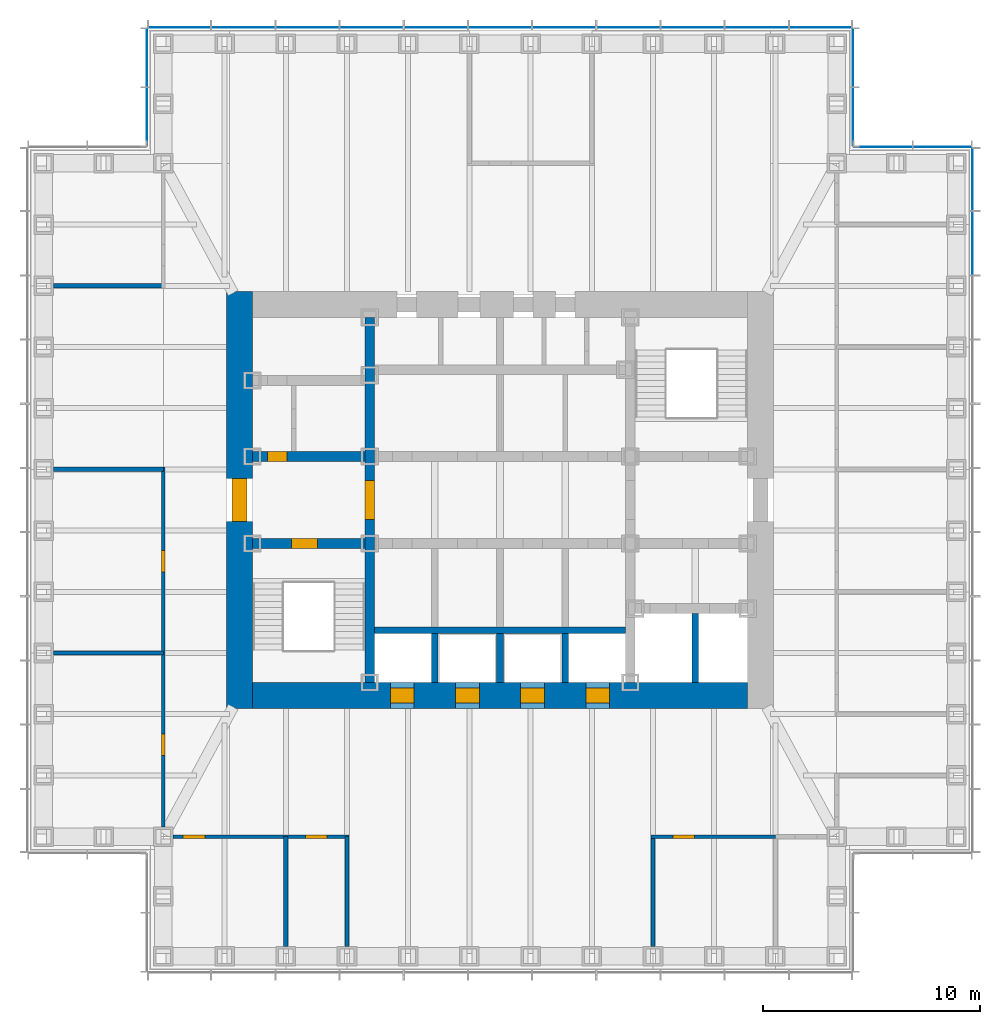
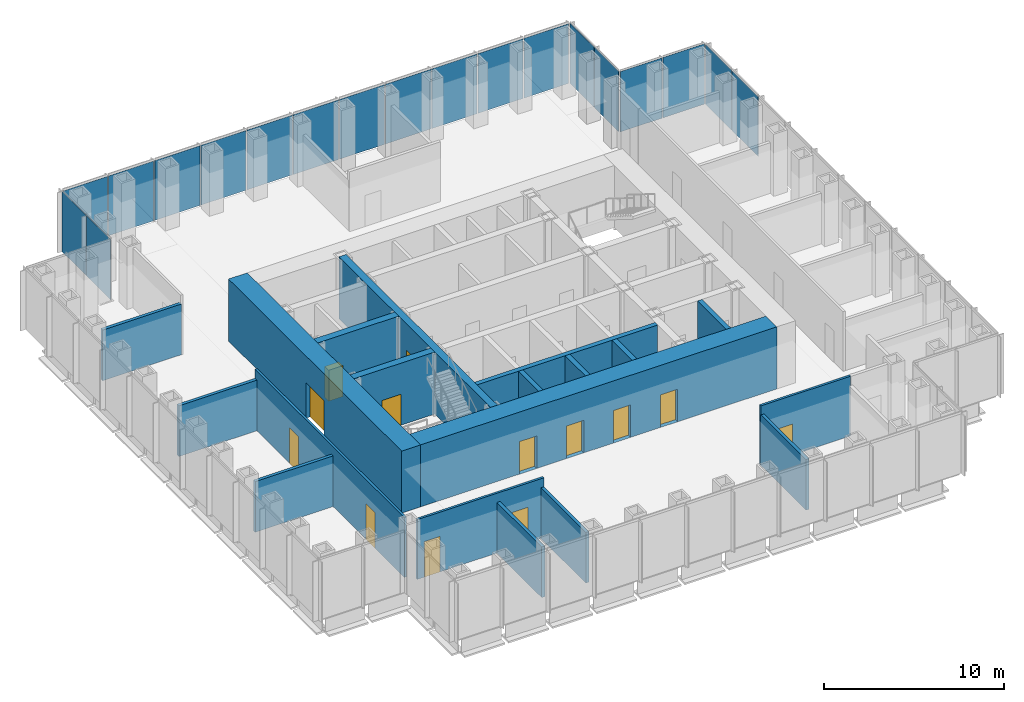
# One storey, part 8 of 16: 19 plates, 19 walls, 13 doors, 13 openings, 5 elements without a shape of their own.
"""IFC4 building model written with IfcOpenShell, lengths in metres."""

from ifc_helpers import new_model, si_unit, direction, frame, frame_2d, origin, origin_2d, place, context, subcontext, project, spatial, rectangle, extrude, material, layer, layer_set, type_object, element, fill, aggregate, save


model = new_model("IFC4")

# Units and contexts
model_context = context("Model", 3, precision=1e-05, world=origin(), true_north=direction((0.0, 1.0)))
body_context = subcontext(model_context, "Body", "Model", "MODEL_VIEW")
ifc_project = project(units=[si_unit("LENGTHUNIT", "METRE"), si_unit("AREAUNIT", "SQUARE_METRE"), si_unit("VOLUMEUNIT", "CUBIC_METRE"), si_unit("PLANEANGLEUNIT", "RADIAN"), si_unit("MASSUNIT", "GRAM", prefix="KILO")], contexts=[model_context])

# Site, building, storey
site_placement = place(None, origin())
site = spatial("IfcSite", under=ifc_project, at=site_placement, CompositionType="ELEMENT")
building_placement = place(site_placement, origin())
building = spatial("IfcBuilding", under=site, at=building_placement, Name="Daluyong Arena Tower", CompositionType="ELEMENT")
storey_placement = place(building_placement, frame((0.0, 0.0, 202.300048828125)))
storey = spatial("IfcBuildingStorey", under=building, at=storey_placement, Name="L45", CompositionType="ELEMENT", Elevation=202.300048828125)

# Curtain wall, plates
ifc_material_1 = material(Name="Bronze anodised aluminium and glass", Category="aluminium")
curtain_wall_type_1 = type_object("IfcCurtainWallType", Name="Curtain wall CW3", PredefinedType="USERDEFINED", material=ifc_material_1)
curtain_wall_1_placement = place(storey_placement, origin())
curtain_wall_1 = element("IfcCurtainWall", 1, at=curtain_wall_1_placement, inside=storey, type_object=curtain_wall_type_1, Name="curtain wall L45 E", ObjectType="UNITISED CURTAIN WALL", PredefinedType="USERDEFINED")
ifc_material_2 = material(Name="Tinted double glazed unit", Category="glass")
ifc_layer_1 = layer(ifc_material_2, 0.030029296875)
ifc_layer_set_1 = layer_set([ifc_layer_1], Name="Tinted double glazed unit")
plate_type_1 = type_object("IfcPlateType", Name="CW3 panel 30", PredefinedType="CURTAIN_PANEL", material=ifc_layer_set_1)
plate_1_placement = place(storey_placement, frame((77.75, 91.818115234375, 0.0), z_axis=(0.0, 0.0, 1.0), x_axis=(0.0, 1.0, 0.0)))
plate_1 = element("IfcPlate", 2, at=plate_1_placement, type_object=plate_type_1, Name="curtain wall L45 E panel 10", PredefinedType="CURTAIN_PANEL", context=body_context, shape_type="SweptSolid", body=[
    extrude(rectangle(XDim=2.884521484375, YDim=0.030029296875, at=origin_2d()), origin(), (0.0, 0.0, 1.0), 4.0400390625),
])
plate_2_placement = place(storey_placement, frame((77.75, 94.755126953125, 0.0), z_axis=(0.0, 0.0, 1.0), x_axis=(0.0, 1.0, 0.0)))
plate_2 = element("IfcPlate", 3, at=plate_2_placement, type_object=plate_type_1, Name="curtain wall L45 E panel 11", PredefinedType="CURTAIN_PANEL", context=body_context, shape_type="SweptSolid", body=[
    extrude(rectangle(XDim=2.849609375, YDim=0.030029296875, at=origin_2d()), origin(), (0.0, 0.0, 1.0), 4.0400390625),
])
aggregate(curtain_wall_1, [plate_1, plate_2])

curtain_wall_2_placement = place(storey_placement, origin())
curtain_wall_2 = element("IfcCurtainWall", 4, at=curtain_wall_2_placement, inside=storey, type_object=curtain_wall_type_1, Name="curtain wall L45 N", ObjectType="UNITISED CURTAIN WALL", PredefinedType="USERDEFINED")
plate_3_placement = place(storey_placement, frame((70.755126953125, 101.75, 0.0), z_axis=(0.0, 0.0, 1.0), x_axis=(-1.0, 0.0, 0.0)))
plate_3 = element("IfcPlate", 5, at=plate_3_placement, type_object=plate_type_1, Name="curtain wall L45 N panel 1", PredefinedType="CURTAIN_PANEL", context=body_context, shape_type="SweptSolid", body=[
    extrude(rectangle(XDim=2.849609375, YDim=0.030029296875, at=origin_2d()), origin(), (0.0, 0.0, 1.0), 4.0400390625),
])
plate_4_placement = place(storey_placement, frame((67.818115234375, 101.75, 0.0), z_axis=(0.0, 0.0, 1.0), x_axis=(-1.0, 0.0, 0.0)))
plate_4 = element("IfcPlate", 6, at=plate_4_placement, type_object=plate_type_1, Name="curtain wall L45 N panel 2", PredefinedType="CURTAIN_PANEL", context=body_context, shape_type="SweptSolid", body=[
    extrude(rectangle(XDim=2.884521484375, YDim=0.030029296875, at=origin_2d()), origin(), (0.0, 0.0, 1.0), 4.0400390625),
])
plate_5_placement = place(storey_placement, frame((64.863525390625, 101.75, 0.0), z_axis=(0.0, 0.0, 1.0), x_axis=(-1.0, 0.0, 0.0)))
plate_5 = element("IfcPlate", 7, at=plate_5_placement, type_object=plate_type_1, Name="curtain wall L45 N panel 3", PredefinedType="CURTAIN_PANEL", context=body_context, shape_type="SweptSolid", body=[
    extrude(rectangle(XDim=2.884521484375, YDim=0.030029296875, at=origin_2d()), origin(), (0.0, 0.0, 1.0), 4.0400390625),
])
plate_6_placement = place(storey_placement, frame((61.9091796875, 101.75, 0.0), z_axis=(0.0, 0.0, 1.0), x_axis=(-1.0, 0.0, 0.0)))
plate_6 = element("IfcPlate", 8, at=plate_6_placement, type_object=plate_type_1, Name="curtain wall L45 N panel 4", PredefinedType="CURTAIN_PANEL", context=body_context, shape_type="SweptSolid", body=[
    extrude(rectangle(XDim=2.884521484375, YDim=0.030029296875, at=origin_2d()), origin(), (0.0, 0.0, 1.0), 4.0400390625),
])
plate_7_placement = place(storey_placement, frame((58.95458984375, 101.75, 0.0), z_axis=(0.0, 0.0, 1.0), x_axis=(-1.0, 0.0, 0.0)))
plate_7 = element("IfcPlate", 9, at=plate_7_placement, type_object=plate_type_1, Name="curtain wall L45 N panel 5", PredefinedType="CURTAIN_PANEL", context=body_context, shape_type="SweptSolid", body=[
    extrude(rectangle(XDim=2.884521484375, YDim=0.030029296875, at=origin_2d()), origin(), (0.0, 0.0, 1.0), 4.0400390625),
])
plate_8_placement = place(storey_placement, frame((56.0, 101.75, 0.0), z_axis=(0.0, 0.0, 1.0), x_axis=(-1.0, 0.0, 0.0)))
plate_8 = element("IfcPlate", 10, at=plate_8_placement, type_object=plate_type_1, Name="curtain wall L45 N panel 6", PredefinedType="CURTAIN_PANEL", context=body_context, shape_type="SweptSolid", body=[
    extrude(rectangle(XDim=2.884521484375, YDim=0.030029296875, at=origin_2d()), origin(), (0.0, 0.0, 1.0), 4.0400390625),
])
plate_9_placement = place(storey_placement, frame((53.04541015625, 101.75, 0.0), z_axis=(0.0, 0.0, 1.0), x_axis=(-1.0, 0.0, 0.0)))
plate_9 = element("IfcPlate", 11, at=plate_9_placement, type_object=plate_type_1, Name="curtain wall L45 N panel 7", PredefinedType="CURTAIN_PANEL", context=body_context, shape_type="SweptSolid", body=[
    extrude(rectangle(XDim=2.884521484375, YDim=0.030029296875, at=origin_2d()), origin(), (0.0, 0.0, 1.0), 4.0400390625),
])
plate_10_placement = place(storey_placement, frame((50.0908203125, 101.75, 0.0), z_axis=(0.0, 0.0, 1.0), x_axis=(-1.0, 0.0, 0.0)))
plate_10 = element("IfcPlate", 12, at=plate_10_placement, type_object=plate_type_1, Name="curtain wall L45 N panel 8", PredefinedType="CURTAIN_PANEL", context=body_context, shape_type="SweptSolid", body=[
    extrude(rectangle(XDim=2.884521484375, YDim=0.030029296875, at=origin_2d()), origin(), (0.0, 0.0, 1.0), 4.0400390625),
])
plate_11_placement = place(storey_placement, frame((47.136474609375, 101.75, 0.0), z_axis=(0.0, 0.0, 1.0), x_axis=(-1.0, 0.0, 0.0)))
plate_11 = element("IfcPlate", 13, at=plate_11_placement, type_object=plate_type_1, Name="curtain wall L45 N panel 9", PredefinedType="CURTAIN_PANEL", context=body_context, shape_type="SweptSolid", body=[
    extrude(rectangle(XDim=2.884521484375, YDim=0.030029296875, at=origin_2d()), origin(), (0.0, 0.0, 1.0), 4.0400390625),
])
plate_12_placement = place(storey_placement, frame((44.181884765625, 101.75, 0.0), z_axis=(0.0, 0.0, 1.0), x_axis=(-1.0, 0.0, 0.0)))
plate_12 = element("IfcPlate", 14, at=plate_12_placement, type_object=plate_type_1, Name="curtain wall L45 N panel 10", PredefinedType="CURTAIN_PANEL", context=body_context, shape_type="SweptSolid", body=[
    extrude(rectangle(XDim=2.884521484375, YDim=0.030029296875, at=origin_2d()), origin(), (0.0, 0.0, 1.0), 4.0400390625),
])
plate_13_placement = place(storey_placement, frame((41.244873046875, 101.75, 0.0), z_axis=(0.0, 0.0, 1.0), x_axis=(-1.0, 0.0, 0.0)))
plate_13 = element("IfcPlate", 15, at=plate_13_placement, type_object=plate_type_1, Name="curtain wall L45 N panel 11", PredefinedType="CURTAIN_PANEL", context=body_context, shape_type="SweptSolid", body=[
    extrude(rectangle(XDim=2.849609375, YDim=0.030029296875, at=origin_2d()), origin(), (0.0, 0.0, 1.0), 4.0400390625),
])
aggregate(curtain_wall_2, [plate_3, plate_4, plate_5, plate_6, plate_7, plate_8, plate_9, plate_10, plate_11, plate_12, plate_13])

ifc_material_3 = material(Name="Bronze anodised aluminium and glass", Category="aluminium")
curtain_wall_type_2 = type_object("IfcCurtainWallType", Name="Curtain wall CW7", PredefinedType="USERDEFINED", material=ifc_material_3)
curtain_wall_3_placement = place(storey_placement, origin())
curtain_wall_3 = element("IfcCurtainWall", 16, at=curtain_wall_3_placement, inside=storey, type_object=curtain_wall_type_2, Name="curtain wall L45 NE-N", ObjectType="UNITISED CURTAIN WALL", PredefinedType="USERDEFINED")
ifc_material_4 = material(Name="Tinted double glazed unit", Category="glass")
ifc_layer_2 = layer(ifc_material_4, 0.028076171875)
ifc_layer_set_2 = layer_set([ifc_layer_2], Name="Tinted double glazed unit")
plate_type_2 = type_object("IfcPlateType", Name="CW7 panel 28", PredefinedType="CURTAIN_PANEL", material=ifc_layer_set_2)
plate_14_placement = place(storey_placement, frame((76.360107421875, 96.25, 0.0), z_axis=(0.0, 0.0, 1.0), x_axis=(-1.0, 0.0, 0.0)))
plate_14 = element("IfcPlate", 17, at=plate_14_placement, type_object=plate_type_2, Name="curtain wall L45 NE-N panel 1", PredefinedType="CURTAIN_PANEL", context=body_context, shape_type="SweptSolid", body=[
    extrude(rectangle(XDim=2.659912109375, YDim=0.028076171875, at=origin_2d()), origin(), (0.0, 0.0, 1.0), 4.080078125),
])
plate_15_placement = place(storey_placement, frame((73.639892578125, 96.25, 0.0), z_axis=(0.0, 0.0, 1.0), x_axis=(-1.0, 0.0, 0.0)))
plate_15 = element("IfcPlate", 18, at=plate_15_placement, type_object=plate_type_2, Name="curtain wall L45 NE-N panel 2", PredefinedType="CURTAIN_PANEL", context=body_context, shape_type="SweptSolid", body=[
    extrude(rectangle(XDim=2.659912109375, YDim=0.028076171875, at=origin_2d()), origin(), (0.0, 0.0, 1.0), 4.080078125),
])
aggregate(curtain_wall_3, [plate_14, plate_15])

curtain_wall_4_placement = place(storey_placement, origin())
curtain_wall_4 = element("IfcCurtainWall", 19, at=curtain_wall_4_placement, inside=storey, type_object=curtain_wall_type_2, Name="curtain wall L45 NE-E", ObjectType="UNITISED CURTAIN WALL", PredefinedType="USERDEFINED")
plate_16_placement = place(storey_placement, frame((72.25, 97.639892578125, 0.0), z_axis=(0.0, 0.0, 1.0), x_axis=(0.0, 1.0, 0.0)))
plate_16 = element("IfcPlate", 20, at=plate_16_placement, type_object=plate_type_2, Name="curtain wall L45 NE-E panel 1", PredefinedType="CURTAIN_PANEL", context=body_context, shape_type="SweptSolid", body=[
    extrude(rectangle(XDim=2.659912109375, YDim=0.028076171875, at=origin_2d()), origin(), (0.0, 0.0, 1.0), 4.080078125),
])
plate_17_placement = place(storey_placement, frame((72.25, 100.360107421875, 0.0), z_axis=(0.0, 0.0, 1.0), x_axis=(0.0, 1.0, 0.0)))
plate_17 = element("IfcPlate", 21, at=plate_17_placement, type_object=plate_type_2, Name="curtain wall L45 NE-E panel 2", PredefinedType="CURTAIN_PANEL", context=body_context, shape_type="SweptSolid", body=[
    extrude(rectangle(XDim=2.659912109375, YDim=0.028076171875, at=origin_2d()), origin(), (0.0, 0.0, 1.0), 4.080078125),
])
aggregate(curtain_wall_4, [plate_16, plate_17])

curtain_wall_5_placement = place(storey_placement, origin())
curtain_wall_5 = element("IfcCurtainWall", 22, at=curtain_wall_5_placement, inside=storey, type_object=curtain_wall_type_2, Name="curtain wall L45 NW-W", ObjectType="UNITISED CURTAIN WALL", PredefinedType="USERDEFINED")
plate_18_placement = place(storey_placement, frame((39.75, 100.360107421875, 0.0), z_axis=(0.0, 0.0, 1.0), x_axis=(0.0, -1.0, 0.0)))
plate_18 = element("IfcPlate", 23, at=plate_18_placement, type_object=plate_type_2, Name="curtain wall L45 NW-W panel 1", PredefinedType="CURTAIN_PANEL", context=body_context, shape_type="SweptSolid", body=[
    extrude(rectangle(XDim=2.659912109375, YDim=0.028076171875, at=origin_2d()), origin(), (0.0, 0.0, 1.0), 4.080078125),
])
plate_19_placement = place(storey_placement, frame((39.75, 97.639892578125, 0.0), z_axis=(0.0, 0.0, 1.0), x_axis=(0.0, -1.0, 0.0)))
plate_19 = element("IfcPlate", 24, at=plate_19_placement, type_object=plate_type_2, Name="curtain wall L45 NW-W panel 2", PredefinedType="CURTAIN_PANEL", context=body_context, shape_type="SweptSolid", body=[
    extrude(rectangle(XDim=2.659912109375, YDim=0.028076171875, at=origin_2d()), origin(), (0.0, 0.0, 1.0), 4.080078125),
])
aggregate(curtain_wall_5, [plate_18, plate_19])

# Wall, opening, door
ifc_material_5 = material(Name="Concrete fc' 45 MPa", Category="concrete")
ifc_layer_3 = layer(ifc_material_5, 0.449951171875)
ifc_layer_set_3 = layer_set([ifc_layer_3], Name="Concrete fc' 45 MPa")
wall_type_1 = type_object("IfcWallType", Name="Core inner wall 450", PredefinedType="SHEAR", material=ifc_layer_set_3)
wall_1_placement = place(storey_placement, frame((50.0, 71.60009765625, 0.0), z_axis=(0.0, 0.0, 1.0), x_axis=(0.0, 1.0, 0.0)))
wall_1 = element("IfcWall", 25, at=wall_1_placement, inside=storey, type_object=wall_type_1, Name="core inner wall at L45", PredefinedType="SHEAR", context=body_context, shape_type="SweptSolid", body=[
    extrude(rectangle(XDim=16.7998046875, YDim=0.449951171875, at=frame_2d((8.39990234375, 0.0))), origin(), (0.0, 0.0, 1.0), 4.199951171875),
])
opening_1_placement = place(wall_1_placement, frame((7.5, 0.0, 0.0)))
opening_1 = element("IfcOpeningElement", 26, at=opening_1_placement, cuts=wall_1, Name="Opening 45021", PredefinedType="OPENING", context=body_context, shape_type="SweptSolid", body=[
    extrude(rectangle(XDim=1.800048828125, YDim=2.39990234375, at=frame_2d((0.89990234375, 1.199951171875))), frame((0.0, 0.23486328125, 0.0), z_axis=(0.0, -1.0, 0.0), x_axis=(1.0, 0.0, 0.0)), (0.0, 0.0, 1.0), 0.469970703125),
])
ifc_material_6 = material(Name="Steel door, fire rated", Category="steel")
door_type_1 = type_object("IfcDoorType", Name="Lift lobby opening door 1800", OperationType="DOUBLE_DOOR_SINGLE_SWING", PredefinedType="DOOR", material=ifc_material_6)
door_1_placement = place(opening_1_placement, origin())
door_1 = element("IfcDoor", 27, at=door_1_placement, inside=storey, type_object=door_type_1, Name="lift lobby door west 45021", OperationType="DOUBLE_DOOR_SINGLE_SWING", OverallHeight=2.39990234375, OverallWidth=1.800048828125, PredefinedType="DOOR", context=body_context, shape_type="SweptSolid", body=[
    extrude(rectangle(XDim=1.800048828125, YDim=2.39990234375, at=frame_2d((0.89990234375, 1.199951171875))), frame((0.0, 0.224609375, 0.0), z_axis=(0.0, -1.0, 0.0), x_axis=(1.0, 0.0, 0.0)), (0.0, 0.0, 1.0), 0.449462890625),
])
fill(opening_1, door_1)

wall_2_placement = place(storey_placement, frame((44.60009765625, 78.0, 0.0), z_axis=(0.0, 0.0, 1.0), x_axis=(1.0, 0.0, 0.0)))
wall_2 = element("IfcWall", 28, at=wall_2_placement, inside=storey, type_object=wall_type_1, Name="core inner wall at L45", PredefinedType="SHEAR", context=body_context, shape_type="SweptSolid", body=[
    extrude(rectangle(XDim=5.1748046875, YDim=0.449951171875, at=frame_2d((2.58740234375, 0.0))), origin(), (0.0, 0.0, 1.0), 4.199951171875),
])
opening_2_placement = place(wall_2_placement, frame((1.800048828125, 0.0, 0.0)))
opening_2 = element("IfcOpeningElement", 29, at=opening_2_placement, cuts=wall_2, Name="Opening 45017", PredefinedType="OPENING", context=body_context, shape_type="SweptSolid", body=[
    extrude(rectangle(XDim=1.199951171875, YDim=2.10009765625, at=frame_2d((0.60009765625, 1.050048828125))), frame((0.0, 0.23486328125, 0.0), z_axis=(0.0, -1.0, 0.0), x_axis=(1.0, 0.0, 0.0)), (0.0, 0.0, 1.0), 0.469970703125),
])
ifc_material_7 = material(Name="Steel door, fire rated", Category="steel")
door_type_2 = type_object("IfcDoorType", Name="Stair door 1200", OperationType="SINGLE_SWING_LEFT", PredefinedType="DOOR", material=ifc_material_7)
door_2_placement = place(opening_2_placement, origin())
door_2 = element("IfcDoor", 30, at=door_2_placement, inside=storey, type_object=door_type_2, Name="stair A door 45017", OperationType="SINGLE_SWING_LEFT", OverallHeight=2.10009765625, OverallWidth=1.199951171875, PredefinedType="DOOR", context=body_context, shape_type="SweptSolid", body=[
    extrude(rectangle(XDim=1.199951171875, YDim=2.10009765625, at=frame_2d((0.60009765625, 1.050048828125))), frame((0.0, 0.224609375, 0.0), z_axis=(0.0, -1.0, 0.0), x_axis=(1.0, 0.0, 0.0)), (0.0, 0.0, 1.0), 0.449462890625),
])
fill(opening_2, door_2)

wall_3_placement = place(storey_placement, frame((44.60009765625, 82.0, 0.0), z_axis=(0.0, 0.0, 1.0), x_axis=(1.0, 0.0, 0.0)))
wall_3 = element("IfcWall", 31, at=wall_3_placement, inside=storey, type_object=wall_type_1, Name="core inner wall at L45", PredefinedType="SHEAR", context=body_context, shape_type="SweptSolid", body=[
    extrude(rectangle(XDim=5.1748046875, YDim=0.449951171875, at=frame_2d((2.58740234375, 0.0))), origin(), (0.0, 0.0, 1.0), 4.199951171875),
])
opening_3_placement = place(wall_3_placement, frame((0.699951171875, 0.0, 0.0)))
opening_3 = element("IfcOpeningElement", 32, at=opening_3_placement, cuts=wall_3, Name="Opening 45001", PredefinedType="OPENING", context=body_context, shape_type="SweptSolid", body=[
    extrude(rectangle(XDim=0.89990234375, YDim=2.10009765625, at=frame_2d((0.449951171875, 1.050048828125))), frame((0.0, 0.23486328125, 0.0), z_axis=(0.0, -1.0, 0.0), x_axis=(1.0, 0.0, 0.0)), (0.0, 0.0, 1.0), 0.469970703125),
])
ifc_material_8 = material(Name="Steel door, fire rated", Category="steel")
door_type_3 = type_object("IfcDoorType", Name="Core room door 900", OperationType="SINGLE_SWING_LEFT", PredefinedType="DOOR", material=ifc_material_8)
door_3_placement = place(opening_3_placement, origin())
door_3 = element("IfcDoor", 33, at=door_3_placement, inside=storey, type_object=door_type_3, Name="toilet lobby door 45001", OperationType="SINGLE_SWING_LEFT", OverallHeight=2.10009765625, OverallWidth=0.89990234375, PredefinedType="DOOR", context=body_context, shape_type="SweptSolid", body=[
    extrude(rectangle(XDim=0.89990234375, YDim=2.10009765625, at=frame_2d((0.449951171875, 1.050048828125))), frame((0.0, 0.224609375, 0.0), z_axis=(0.0, -1.0, 0.0), x_axis=(1.0, 0.0, 0.0)), (0.0, 0.0, 1.0), 0.449462890625),
])
fill(opening_3, door_3)

ifc_material_9 = material(Name="Concrete fc' 60 MPa", Category="concrete")
ifc_layer_4 = layer(ifc_material_9, 1.199951171875)
ifc_layer_set_4 = layer_set([ifc_layer_4], Name="Concrete fc' 60 MPa")
wall_type_2 = type_object("IfcWallType", Name="Core wall 1200", PredefinedType="SHEAR", material=ifc_layer_set_4)
wall_4_placement = place(storey_placement, frame((44.0, 70.39990234375, 0.0), z_axis=(0.0, 0.0, 1.0), x_axis=(0.0, 1.0, 0.0)))
wall_4 = element("IfcWall", 34, at=wall_4_placement, inside=storey, type_object=wall_type_2, Name="core wall at L45", PredefinedType="SHEAR", context=body_context, shape_type="SweptSolid", body=[
    extrude(rectangle(XDim=19.2001953125, YDim=1.199951171875, at=frame_2d((9.60009765625, 0.0))), origin(), (0.0, 0.0, 1.0), 4.199951171875),
])
opening_4_placement = place(wall_4_placement, frame((8.60009765625, 0.0, 0.0)))
opening_4 = element("IfcOpeningElement", 35, at=opening_4_placement, cuts=wall_4, Name="Opening 45019", PredefinedType="OPENING", context=body_context, shape_type="SweptSolid", body=[
    extrude(rectangle(XDim=2.0, YDim=2.39990234375, at=frame_2d((1.0, 1.199951171875))), frame((0.0, 0.60986328125, 0.0), z_axis=(0.0, -1.0, 0.0), x_axis=(1.0, 0.0, 0.0)), (0.0, 0.0, 1.0), 1.219970703125),
])
ifc_material_10 = material(Name="Steel door, fire rated", Category="steel")
door_type_4 = type_object("IfcDoorType", Name="Core lobby double door 2000", OperationType="DOUBLE_DOOR_SINGLE_SWING", PredefinedType="DOOR", material=ifc_material_10)
door_4_placement = place(opening_4_placement, origin())
door_4 = element("IfcDoor", 36, at=door_4_placement, inside=storey, type_object=door_type_4, Name="core lobby door west 45019", OperationType="DOUBLE_DOOR_SINGLE_SWING", OverallHeight=2.39990234375, OverallWidth=2.0, PredefinedType="DOOR", context=body_context, shape_type="SweptSolid", body=[
    extrude(rectangle(XDim=2.0, YDim=2.39990234375, at=frame_2d((1.0, 1.199951171875))), frame((0.0, 0.35009765625, 0.0), z_axis=(0.0, -1.0, 0.0), x_axis=(1.0, 0.0, 0.0)), (0.0, 0.0, 1.0), 0.699951171875),
])
fill(opening_4, door_4)

# Wall, openings, doors
wall_5_placement = place(storey_placement, frame((44.60009765625, 71.0, 0.0), z_axis=(0.0, 0.0, 1.0), x_axis=(1.0, 0.0, 0.0)))
wall_5 = element("IfcWall", 37, at=wall_5_placement, inside=storey, type_object=wall_type_2, Name="core wall at L45", PredefinedType="SHEAR", context=body_context, shape_type="SweptSolid", body=[
    extrude(rectangle(XDim=22.7998046875, YDim=1.199951171875, at=frame_2d((11.39990234375, 0.0))), origin(), (0.0, 0.0, 1.0), 4.199951171875),
])
opening_5_placement = place(wall_5_placement, frame((6.35009765625, 0.0, 0.0)))
opening_5 = element("IfcOpeningElement", 38, at=opening_5_placement, cuts=wall_5, Name="Opening 45024", PredefinedType="OPENING", context=body_context, shape_type="SweptSolid", body=[
    extrude(rectangle(XDim=1.10009765625, YDim=2.199951171875, at=frame_2d((0.550048828125, 1.10009765625))), frame((0.0, 0.60986328125, 0.0), z_axis=(0.0, -1.0, 0.0), x_axis=(1.0, 0.0, 0.0)), (0.0, 0.0, 1.0), 1.219970703125),
])
opening_6_placement = place(wall_5_placement, frame((9.35009765625, 0.0, 0.0)))
opening_6 = element("IfcOpeningElement", 39, at=opening_6_placement, cuts=wall_5, Name="Opening 45025", PredefinedType="OPENING", context=body_context, shape_type="SweptSolid", body=[
    extrude(rectangle(XDim=1.10009765625, YDim=2.199951171875, at=frame_2d((0.550048828125, 1.10009765625))), frame((0.0, 0.60986328125, 0.0), z_axis=(0.0, -1.0, 0.0), x_axis=(1.0, 0.0, 0.0)), (0.0, 0.0, 1.0), 1.219970703125),
])
opening_7_placement = place(wall_5_placement, frame((12.35009765625, 0.0, 0.0)))
opening_7 = element("IfcOpeningElement", 40, at=opening_7_placement, cuts=wall_5, Name="Opening 45026", PredefinedType="OPENING", context=body_context, shape_type="SweptSolid", body=[
    extrude(rectangle(XDim=1.10009765625, YDim=2.199951171875, at=frame_2d((0.550048828125, 1.10009765625))), frame((0.0, 0.60986328125, 0.0), z_axis=(0.0, -1.0, 0.0), x_axis=(1.0, 0.0, 0.0)), (0.0, 0.0, 1.0), 1.219970703125),
])
opening_8_placement = place(wall_5_placement, frame((15.35009765625, 0.0, 0.0)))
opening_8 = element("IfcOpeningElement", 41, at=opening_8_placement, cuts=wall_5, Name="Opening 45027", PredefinedType="OPENING", context=body_context, shape_type="SweptSolid", body=[
    extrude(rectangle(XDim=1.10009765625, YDim=2.199951171875, at=frame_2d((0.550048828125, 1.10009765625))), frame((0.0, 0.60986328125, 0.0), z_axis=(0.0, -1.0, 0.0), x_axis=(1.0, 0.0, 0.0)), (0.0, 0.0, 1.0), 1.219970703125),
])
ifc_material_11 = material(Name="Steel door, fire rated", Category="steel")
door_type_5 = type_object("IfcDoorType", Name="Lift landing door 1100", OperationType="SLIDING_TO_LEFT", PredefinedType="DOOR", material=ifc_material_11)
door_5_placement = place(opening_5_placement, origin())
door_5 = element("IfcDoor", 42, at=door_5_placement, inside=storey, type_object=door_type_5, Name="lift landing door C1 45024", OperationType="SLIDING_TO_LEFT", OverallHeight=2.199951171875, OverallWidth=1.10009765625, PredefinedType="DOOR", context=body_context, shape_type="SweptSolid", body=[
    extrude(rectangle(XDim=1.10009765625, YDim=2.199951171875, at=frame_2d((0.550048828125, 1.10009765625))), frame((0.0, 0.35009765625, 0.0), z_axis=(0.0, -1.0, 0.0), x_axis=(1.0, 0.0, 0.0)), (0.0, 0.0, 1.0), 0.699951171875),
])
fill(opening_5, door_5)
door_6_placement = place(opening_6_placement, origin())
door_6 = element("IfcDoor", 43, at=door_6_placement, inside=storey, type_object=door_type_5, Name="lift landing door C2 45025", OperationType="SLIDING_TO_LEFT", OverallHeight=2.199951171875, OverallWidth=1.10009765625, PredefinedType="DOOR", context=body_context, shape_type="SweptSolid", body=[
    extrude(rectangle(XDim=1.10009765625, YDim=2.199951171875, at=frame_2d((0.550048828125, 1.10009765625))), frame((0.0, 0.35009765625, 0.0), z_axis=(0.0, -1.0, 0.0), x_axis=(1.0, 0.0, 0.0)), (0.0, 0.0, 1.0), 0.699951171875),
])
fill(opening_6, door_6)
door_7_placement = place(opening_7_placement, origin())
door_7 = element("IfcDoor", 44, at=door_7_placement, inside=storey, type_object=door_type_5, Name="lift landing door C3 45026", OperationType="SLIDING_TO_LEFT", OverallHeight=2.199951171875, OverallWidth=1.10009765625, PredefinedType="DOOR", context=body_context, shape_type="SweptSolid", body=[
    extrude(rectangle(XDim=1.10009765625, YDim=2.199951171875, at=frame_2d((0.550048828125, 1.10009765625))), frame((0.0, 0.35009765625, 0.0), z_axis=(0.0, -1.0, 0.0), x_axis=(1.0, 0.0, 0.0)), (0.0, 0.0, 1.0), 0.699951171875),
])
fill(opening_7, door_7)
door_8_placement = place(opening_8_placement, origin())
door_8 = element("IfcDoor", 45, at=door_8_placement, inside=storey, type_object=door_type_5, Name="lift landing door C4 45027", OperationType="SLIDING_TO_LEFT", OverallHeight=2.199951171875, OverallWidth=1.10009765625, PredefinedType="DOOR", context=body_context, shape_type="SweptSolid", body=[
    extrude(rectangle(XDim=1.10009765625, YDim=2.199951171875, at=frame_2d((0.550048828125, 1.10009765625))), frame((0.0, 0.35009765625, 0.0), z_axis=(0.0, -1.0, 0.0), x_axis=(1.0, 0.0, 0.0)), (0.0, 0.0, 1.0), 0.699951171875),
])
fill(opening_8, door_8)

ifc_material_12 = material(Name="Glazed aluminium partition", Category="aluminium")
ifc_layer_5 = layer(ifc_material_12, 0.14990234375)
ifc_layer_set_5 = layer_set([ifc_layer_5], Name="Glazed aluminium partition")
wall_type_3 = type_object("IfcWallType", Name="Glazed partition 150", PredefinedType="PARTITIONING", material=ifc_layer_set_5)
wall_6_placement = place(storey_placement, frame((40.949951171875, 64.5, 0.0), z_axis=(0.0, 0.0, 1.0), x_axis=(1.0, 0.0, 0.0)))
wall_6 = element("IfcWall", 46, at=wall_6_placement, inside=storey, type_object=wall_type_3, Name="glazed partition at L45", PredefinedType="PARTITIONING", context=body_context, shape_type="SweptSolid", body=[
    extrude(rectangle(XDim=8.1044921875, YDim=0.14990234375, at=frame_2d((4.05224609375, 0.0))), origin(), (0.0, 0.0, 1.0), 4.0400390625),
])
opening_9_placement = place(wall_6_placement, frame((0.458984375, 0.0, 0.0)))
opening_9 = element("IfcOpeningElement", 47, at=opening_9_placement, cuts=wall_6, Name="Opening 45030", PredefinedType="OPENING", context=body_context, shape_type="SweptSolid", body=[
    extrude(rectangle(XDim=1.0, YDim=2.39990234375, at=frame_2d((0.5, 1.199951171875))), frame((0.0, 0.0849609375, 0.0), z_axis=(0.0, -1.0, 0.0), x_axis=(1.0, 0.0, 0.0)), (0.0, 0.0, 1.0), 0.169921875),
])
opening_10_placement = place(wall_6_placement, frame((6.095458984375, 0.0, 0.0)))
opening_10 = element("IfcOpeningElement", 48, at=opening_10_placement, cuts=wall_6, Name="Opening 45031", PredefinedType="OPENING", context=body_context, shape_type="SweptSolid", body=[
    extrude(rectangle(XDim=1.0, YDim=2.39990234375, at=frame_2d((0.5, 1.199951171875))), frame((0.0, 0.0849609375, 0.0), z_axis=(0.0, -1.0, 0.0), x_axis=(1.0, 0.0, 0.0)), (0.0, 0.0, 1.0), 0.169921875),
])
ifc_material_13 = material(Name="Glazed aluminium door", Category="aluminium")
door_type_6 = type_object("IfcDoorType", Name="Meeting room glazed door 1000", OperationType="SINGLE_SWING_RIGHT", PredefinedType="DOOR", material=ifc_material_13)
door_9_placement = place(opening_9_placement, origin())
door_9 = element("IfcDoor", 49, at=door_9_placement, inside=storey, type_object=door_type_6, Name="meeting room door 45030", OperationType="SINGLE_SWING_RIGHT", OverallHeight=2.39990234375, OverallWidth=1.0, PredefinedType="DOOR", context=body_context, shape_type="SweptSolid", body=[
    extrude(rectangle(XDim=1.0, YDim=2.39990234375, at=frame_2d((0.5, 1.199951171875))), frame((0.0, 0.07470703125, 0.0), z_axis=(0.0, -1.0, 0.0), x_axis=(1.0, 0.0, 0.0)), (0.0, 0.0, 1.0), 0.1494140625),
])
fill(opening_9, door_9)
door_10_placement = place(opening_10_placement, origin())
door_10 = element("IfcDoor", 50, at=door_10_placement, inside=storey, type_object=door_type_6, Name="focus room door 45031", OperationType="SINGLE_SWING_RIGHT", OverallHeight=2.39990234375, OverallWidth=1.0, PredefinedType="DOOR", context=body_context, shape_type="SweptSolid", body=[
    extrude(rectangle(XDim=1.0, YDim=2.39990234375, at=frame_2d((0.5, 1.199951171875))), frame((0.0, 0.07470703125, 0.0), z_axis=(0.0, -1.0, 0.0), x_axis=(1.0, 0.0, 0.0)), (0.0, 0.0, 1.0), 0.1494140625),
])
fill(opening_10, door_10)

# Wall, opening, door
wall_7_placement = place(storey_placement, frame((62.945556640625, 64.5, 0.0), z_axis=(0.0, 0.0, 1.0), x_axis=(1.0, 0.0, 0.0)))
wall_7 = element("IfcWall", 51, at=wall_7_placement, inside=storey, type_object=wall_type_3, Name="glazed partition at L45", PredefinedType="PARTITIONING", context=body_context, shape_type="SweptSolid", body=[
    extrude(rectangle(XDim=5.736328125, YDim=0.14990234375, at=frame_2d((2.8681640625, 0.0))), origin(), (0.0, 0.0, 1.0), 4.0400390625),
])
opening_11_placement = place(wall_7_placement, frame((1.009033203125, 0.0, 0.0)))
opening_11 = element("IfcOpeningElement", 52, at=opening_11_placement, cuts=wall_7, Name="Opening 45032", PredefinedType="OPENING", context=body_context, shape_type="SweptSolid", body=[
    extrude(rectangle(XDim=1.0, YDim=2.10009765625, at=frame_2d((0.5, 1.050048828125))), frame((0.0, 0.0849609375, 0.0), z_axis=(0.0, -1.0, 0.0), x_axis=(1.0, 0.0, 0.0)), (0.0, 0.0, 1.0), 0.169921875),
])
ifc_material_14 = material(Name="Timber door", Category="wood")
door_type_7 = type_object("IfcDoorType", Name="Room door 1000", OperationType="SINGLE_SWING_LEFT", PredefinedType="DOOR", material=ifc_material_14)
door_11_placement = place(opening_11_placement, origin())
door_11 = element("IfcDoor", 53, at=door_11_placement, inside=storey, type_object=door_type_7, Name="office door 45032", OperationType="SINGLE_SWING_LEFT", OverallHeight=2.10009765625, OverallWidth=1.0, PredefinedType="DOOR", context=body_context, shape_type="SweptSolid", body=[
    extrude(rectangle(XDim=1.0, YDim=2.10009765625, at=frame_2d((0.5, 1.050048828125))), frame((0.0, 0.07470703125, 0.0), z_axis=(0.0, -1.0, 0.0), x_axis=(1.0, 0.0, 0.0)), (0.0, 0.0, 1.0), 0.1494140625),
])
fill(opening_11, door_11)

# Wall, openings, doors
wall_8_placement = place(storey_placement, frame((40.5, 64.949951171875, 0.0), z_axis=(0.0, 0.0, 1.0), x_axis=(0.0, 1.0, 0.0)))
wall_8 = element("IfcWall", 54, at=wall_8_placement, inside=storey, type_object=wall_type_3, Name="glazed partition at L45", PredefinedType="PARTITIONING", context=body_context, shape_type="SweptSolid", body=[
    extrude(rectangle(XDim=16.55908203125, YDim=0.14990234375, at=frame_2d((8.279541015625, 0.0))), origin(), (0.0, 0.0, 1.0), 4.0400390625),
])
opening_12_placement = place(wall_8_placement, frame((3.27734375, 0.0, 0.0)))
opening_12 = element("IfcOpeningElement", 55, at=opening_12_placement, cuts=wall_8, Name="Opening 45041", PredefinedType="OPENING", context=body_context, shape_type="SweptSolid", body=[
    extrude(rectangle(XDim=1.0, YDim=2.39990234375, at=frame_2d((0.5, 1.199951171875))), frame((0.0, 0.0849609375, 0.0), z_axis=(0.0, -1.0, 0.0), x_axis=(1.0, 0.0, 0.0)), (0.0, 0.0, 1.0), 0.169921875),
])
opening_13_placement = place(wall_8_placement, frame((11.731689453125, 0.0, 0.0)))
opening_13 = element("IfcOpeningElement", 56, at=opening_13_placement, cuts=wall_8, Name="Opening 45042", PredefinedType="OPENING", context=body_context, shape_type="SweptSolid", body=[
    extrude(rectangle(XDim=1.0, YDim=2.39990234375, at=frame_2d((0.5, 1.199951171875))), frame((0.0, 0.0849609375, 0.0), z_axis=(0.0, -1.0, 0.0), x_axis=(1.0, 0.0, 0.0)), (0.0, 0.0, 1.0), 0.169921875),
])
door_12_placement = place(opening_12_placement, origin())
door_12 = element("IfcDoor", 57, at=door_12_placement, inside=storey, type_object=door_type_6, Name="meeting room door 45041", OperationType="SINGLE_SWING_RIGHT", OverallHeight=2.39990234375, OverallWidth=1.0, PredefinedType="DOOR", context=body_context, shape_type="SweptSolid", body=[
    extrude(rectangle(XDim=1.0, YDim=2.39990234375, at=frame_2d((0.5, 1.199951171875))), frame((0.0, 0.07470703125, 0.0), z_axis=(0.0, -1.0, 0.0), x_axis=(1.0, 0.0, 0.0)), (0.0, 0.0, 1.0), 0.1494140625),
])
fill(opening_12, door_12)
door_13_placement = place(opening_13_placement, origin())
door_13 = element("IfcDoor", 58, at=door_13_placement, inside=storey, type_object=door_type_6, Name="meeting room door 45042", OperationType="SINGLE_SWING_RIGHT", OverallHeight=2.39990234375, OverallWidth=1.0, PredefinedType="DOOR", context=body_context, shape_type="SweptSolid", body=[
    extrude(rectangle(XDim=1.0, YDim=2.39990234375, at=frame_2d((0.5, 1.199951171875))), frame((0.0, 0.07470703125, 0.0), z_axis=(0.0, -1.0, 0.0), x_axis=(1.0, 0.0, 0.0)), (0.0, 0.0, 1.0), 0.1494140625),
])
fill(opening_13, door_13)

# Walls
ifc_material_15 = material(Name="Concrete fc' 45 MPa", Category="concrete")
ifc_layer_6 = layer(ifc_material_15, 0.300048828125)
ifc_layer_set_6 = layer_set([ifc_layer_6], Name="Concrete fc' 45 MPa")
wall_type_4 = type_object("IfcWallType", Name="Lift shaft wall 300", PredefinedType="SHEAR", material=ifc_layer_set_6)
wall_9_placement = place(storey_placement, frame((50.22509765625, 74.0, 0.0), z_axis=(0.0, 0.0, 1.0), x_axis=(1.0, 0.0, 0.0)))
element("IfcWall", 59, at=wall_9_placement, inside=storey, type_object=wall_type_4, Name="lift shaft wall at L45", PredefinedType="SHEAR", context=body_context, shape_type="SweptSolid", body=[
    extrude(rectangle(XDim=11.5498046875, YDim=0.300048828125, at=frame_2d((5.77490234375, 0.0))), origin(), (0.0, 0.0, 1.0), 4.199951171875),
])
for number, where, z_axis, x_axis, name in (
    (60, (53.0, 71.60009765625, 0.0), (0.0, 0.0, 1.0), (0.0, 1.0, 0.0), "lift shaft wall at L45"),
    (61, (56.0, 71.60009765625, 0.0), (0.0, 0.0, 1.0), (0.0, 1.0, 0.0), "lift shaft wall at L45"),
    (62, (59.0, 71.60009765625, 0.0), (0.0, 0.0, 1.0), (0.0, 1.0, 0.0), "lift shaft wall at L45"),
):
    element("IfcWall", number, at=place(storey_placement, frame(where, z_axis=z_axis, x_axis=x_axis)), inside=storey, type_object=wall_type_4, Name=name, PredefinedType="SHEAR", context=body_context, shape_type="SweptSolid", body=[
        extrude(rectangle(XDim=2.25, YDim=0.300048828125, at=frame_2d((1.125, 0.0))), origin(), (0.0, 0.0, 1.0), 4.199951171875),
    ])
wall_10_placement = place(storey_placement, frame((65.0, 71.60009765625, 0.0), z_axis=(0.0, 0.0, 1.0), x_axis=(0.0, 1.0, 0.0)))
element("IfcWall", 63, at=wall_10_placement, inside=storey, type_object=wall_type_4, Name="lift shaft wall at L45", PredefinedType="SHEAR", context=body_context, shape_type="SweptSolid", body=[
    extrude(rectangle(XDim=3.1748046875, YDim=0.300048828125, at=frame_2d((1.58740234375, 0.0))), origin(), (0.0, 0.0, 1.0), 4.199951171875),
])
ifc_material_16 = material(Name="Concrete block partition", Category="concrete")
ifc_layer_7 = layer(ifc_material_16, 0.199951171875)
ifc_layer_set_7 = layer_set([ifc_layer_7], Name="Concrete block partition")
wall_type_5 = type_object("IfcWallType", Name="Partition 200", PredefinedType="PARTITIONING", material=ifc_layer_set_7)
for number, where, z_axis, x_axis, name in (
    (64, (46.136474609375, 59.449951171875, 0.0), (0.0, 0.0, 1.0), (0.0, 1.0, 0.0), "partition at L45"),
    (65, (48.95458984375, 59.449951171875, 0.0), (0.0, 0.0, 1.0), (0.0, 1.0, 0.0), "partition at L45"),
    (66, (63.04541015625, 59.449951171875, 0.0), (0.0, 0.0, 1.0), (0.0, 1.0, 0.0), "partition at L45"),
    (67, (35.449951171875, 72.95458984375, 0.0), (0.0, 0.0, 1.0), (1.0, 0.0, 0.0), "partition at L45"),
    (68, (35.449951171875, 81.4091796875, 0.0), (0.0, 0.0, 1.0), (1.0, 0.0, 0.0), "partition at L45"),
    (69, (35.449951171875, 89.863525390625, 0.0), (0.0, 0.0, 1.0), (1.0, 0.0, 0.0), "partition at L45"),
):
    element("IfcWall", number, at=place(storey_placement, frame(where, z_axis=z_axis, x_axis=x_axis)), inside=storey, type_object=wall_type_5, Name=name, PredefinedType="PARTITIONING", context=body_context, shape_type="SweptSolid", body=[
        extrude(rectangle(XDim=5.050048828125, YDim=0.199951171875, at=frame_2d((2.52490234375, 0.0))), origin(), (0.0, 0.0, 1.0), 3.427734375),
    ])

save(model, "model.ifc")
